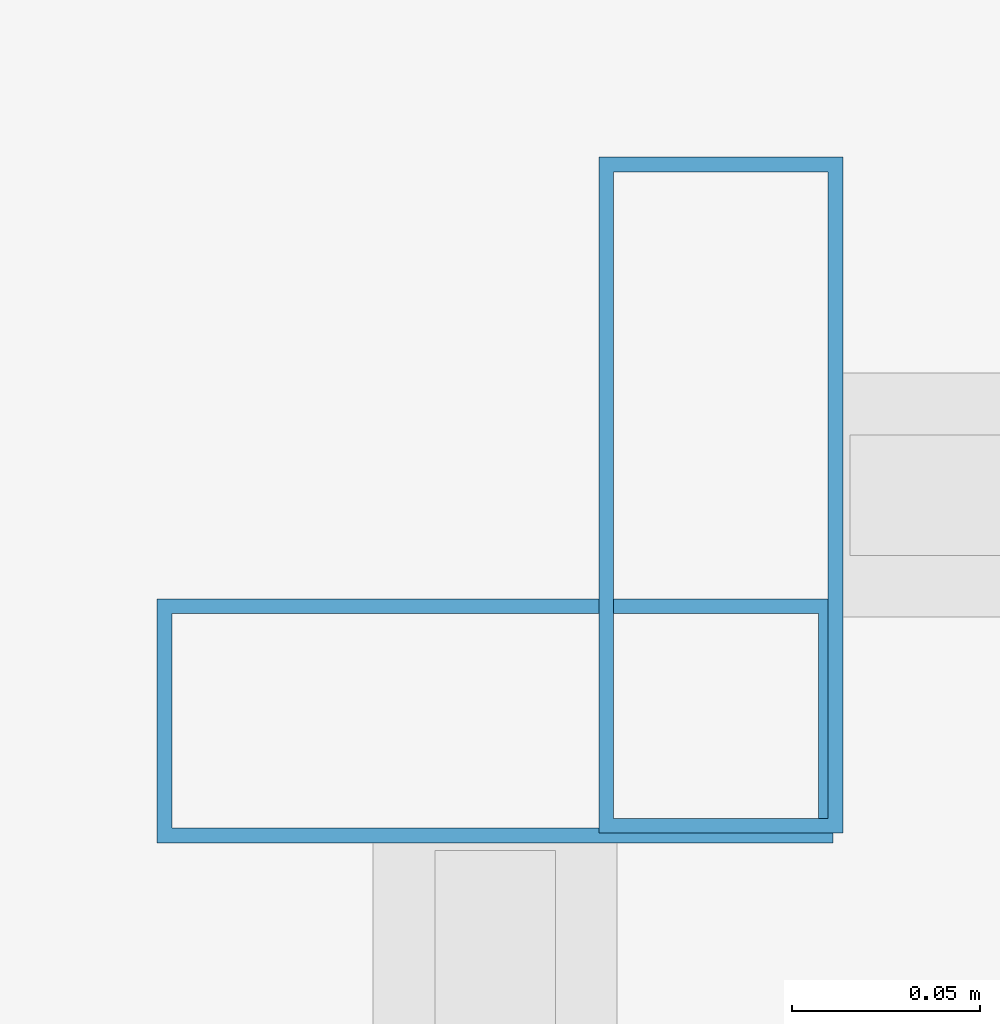
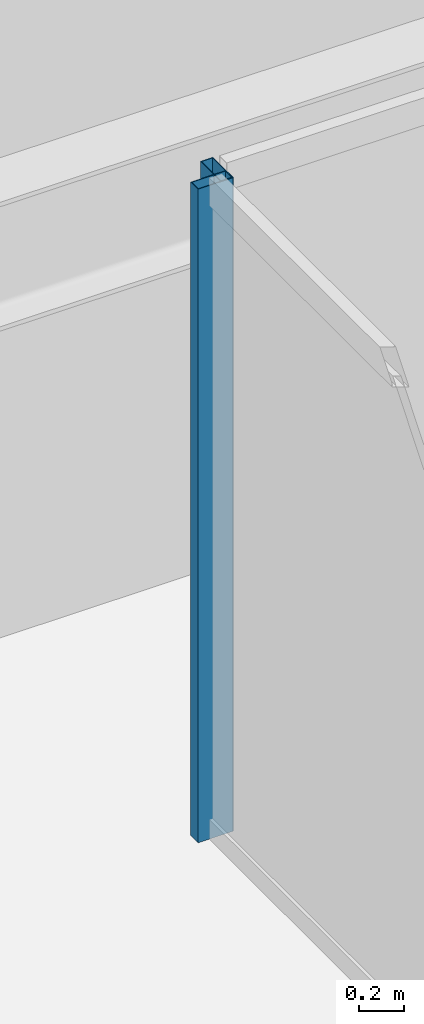
# One storey, part 11 of 37: 2 members, 2 elements without a shape of their own.
"""IFC4 building model written with IfcOpenShell, lengths in metres."""

from ifc_helpers import new_model, si_unit, direction, frame, origin, origin_2d, place, context, subcontext, project, spatial, hollow_rectangle, extrude, material, material_profile, profile_set, type_object, element, aggregate, save


model = new_model("IFC4")

# Units and contexts
model_context = context("Model", 3, precision=1e-05, world=origin(), true_north=direction((0.0, 1.0)))
body_context = subcontext(model_context, "Body", "Model", "MODEL_VIEW")
ifc_project = project(units=[si_unit("LENGTHUNIT", "METRE"), si_unit("AREAUNIT", "SQUARE_METRE"), si_unit("VOLUMEUNIT", "CUBIC_METRE"), si_unit("PLANEANGLEUNIT", "RADIAN"), si_unit("MASSUNIT", "GRAM", prefix="KILO")], contexts=[model_context])

# Site, building, storey
site_placement = place(None, origin())
site = spatial("IfcSite", under=ifc_project, at=site_placement, CompositionType="ELEMENT")
building_placement = place(site_placement, origin())
building = spatial("IfcBuilding", under=site, at=building_placement, Name="Saevonmaru Cultural Tower", CompositionType="ELEMENT")
storey_placement = place(building_placement, frame((0.0, 0.0, 141.0)))
storey = spatial("IfcBuildingStorey", under=building, at=storey_placement, Name="L30", CompositionType="ELEMENT", Elevation=141.0)

# Curtain wall, member
ifc_material = material(Name="Satin Bronze Anodised Aluminium", Category="aluminium")
curtain_wall_type = type_object("IfcCurtainWallType", Name="CW-ATR-GLZ", PredefinedType="NOTDEFINED", material=ifc_material)
curtain_wall_1_placement = place(storey_placement, origin())
curtain_wall_1 = element("IfcCurtainWall", 1, at=curtain_wall_1_placement, inside=storey, type_object=curtain_wall_type, Name="L30 Vertical Atrium Glazed Smoke Screen 3", PredefinedType="NOTDEFINED")
ifc_material_profile = material_profile(ifc_material, hollow_rectangle(XDim=0.06494140625, YDim=0.179931640625, WallThickness=0.00390625, at=origin_2d()), Name="ALU-MULL-180x65x4")
ifc_profile_set = profile_set([ifc_material_profile], Name="Satin Bronze Anodised Aluminium")
member_type = type_object("IfcMemberType", Name="ML-CW-INT-180x65", PredefinedType="MULLION", material=ifc_profile_set)
member_1_placement = place(storey_placement, frame((24.110107421875, 37.35009765625, 0.0), z_axis=(0.0, 0.0, 1.0), x_axis=(-1.0, 0.0, 0.0)))
member_1 = element("IfcMember", 2, at=member_1_placement, type_object=member_type, Name="CW-ATR-L30-3 mullion 2", PredefinedType="MULLION", context=body_context, shape_type="SweptSolid", body=[
    extrude(hollow_rectangle(XDim=0.06494140625, YDim=0.179931640625, WallThickness=0.00390625, at=origin_2d()), origin(), (0.0, 0.0, 1.0), 3.550048828125),
])
aggregate(curtain_wall_1, [member_1])

curtain_wall_2_placement = place(storey_placement, origin())
curtain_wall_2 = element("IfcCurtainWall", 3, at=curtain_wall_2_placement, inside=storey, type_object=curtain_wall_type, Name="L30 Vertical Atrium Glazed Smoke Screen 4", PredefinedType="NOTDEFINED")
member_2_placement = place(storey_placement, frame((24.050048828125, 37.2900390625, 0.0), z_axis=(0.0, 0.0, 1.0), x_axis=(0.0, -1.0, 0.0)))
member_2 = element("IfcMember", 4, at=member_2_placement, type_object=member_type, Name="CW-ATR-L30-4 mullion 1", PredefinedType="MULLION", context=body_context, shape_type="SweptSolid", body=[
    extrude(hollow_rectangle(XDim=0.06494140625, YDim=0.179931640625, WallThickness=0.00390625, at=origin_2d()), origin(), (0.0, 0.0, 1.0), 3.550048828125),
])
aggregate(curtain_wall_2, [member_2])

save(model, "model.ifc")
